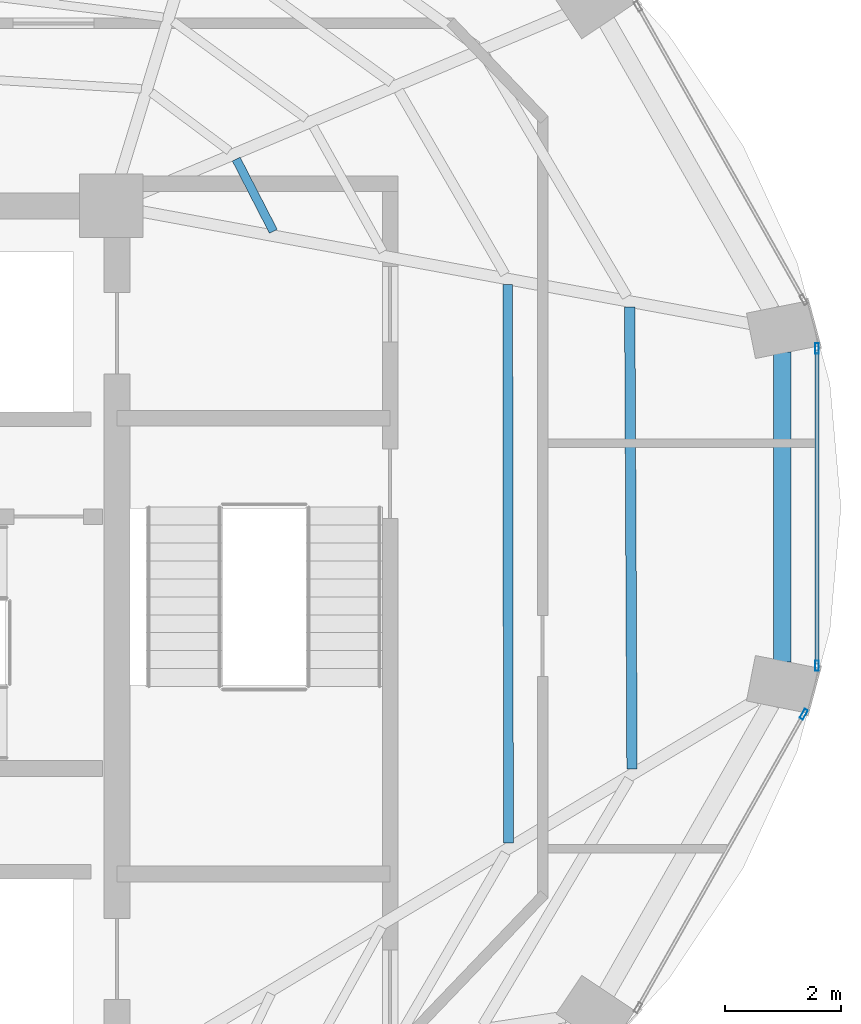
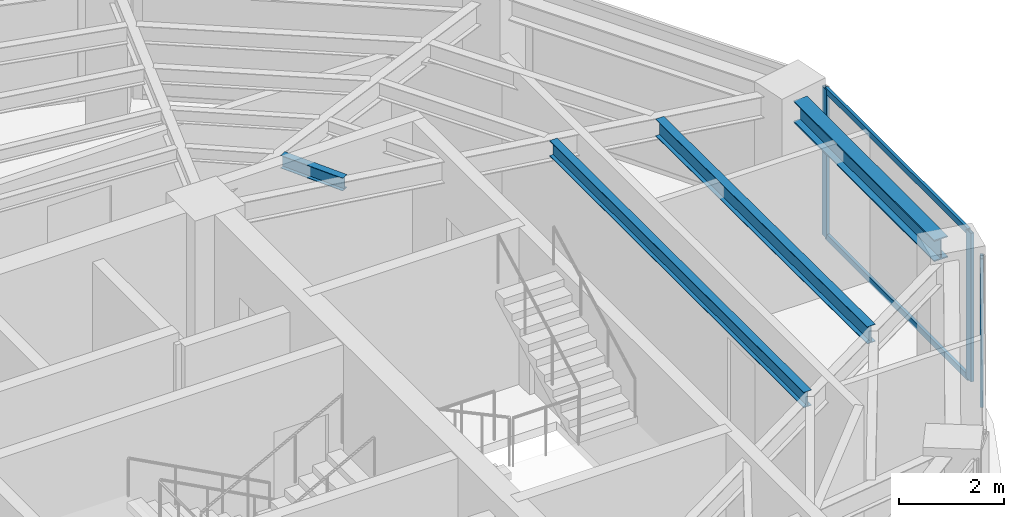
# One storey, part 14 of 23: 5 members, 4 beams, 2 elements without a shape of their own.
"""IFC4 building model written with IfcOpenShell, lengths in metres."""

from ifc_helpers import new_model, si_unit, direction, frame, origin, origin_2d, place, context, subcontext, project, spatial, hollow_rectangle, i_section, extrude, material, layer, layer_set, material_profile, profile_set, type_object, element, aggregate, save


model = new_model("IFC4")

# Units and contexts
model_context = context("Model", 3, precision=1e-05, world=origin(), true_north=direction((0.0, 1.0)))
body_context = subcontext(model_context, "Body", "Model", "MODEL_VIEW")
ifc_project = project(units=[si_unit("LENGTHUNIT", "METRE"), si_unit("AREAUNIT", "SQUARE_METRE"), si_unit("VOLUMEUNIT", "CUBIC_METRE"), si_unit("PLANEANGLEUNIT", "RADIAN"), si_unit("MASSUNIT", "GRAM", prefix="KILO")], contexts=[model_context])

# Site, building, storey
site_placement = place(None, origin())
site = spatial("IfcSite", under=ifc_project, at=site_placement, CompositionType="ELEMENT")
building_placement = place(site_placement, origin())
building = spatial("IfcBuilding", under=site, at=building_placement, Name="Lazwardi Medical Tower", CompositionType="ELEMENT")
storey_placement = place(building_placement, frame((0.0, 0.0, 234.9599609375)))
storey = spatial("IfcBuildingStorey", under=building, at=storey_placement, Name="L61", CompositionType="ELEMENT", Elevation=234.9599609375)

# Beams
ifc_material_1 = material(Name="Steel S355", Category="steel")
ifc_material_profile_1 = material_profile(ifc_material_1, i_section(OverallWidth=0.300048828125, OverallDepth=0.5, WebThickness=0.014404296875, FlangeThickness=0.028076171875, at=origin_2d()), Name="HEB 500")
ifc_profile_set_1 = profile_set([ifc_material_profile_1], Name="Steel S355")
beam_type_1 = type_object("IfcBeamType", Name="BM-RB-Z4", PredefinedType="BEAM", material=ifc_profile_set_1)
beam_1_placement = place(storey_placement, frame((57.18505859375, 27.72705078125, 3.197998046875), z_axis=(0.0, 1.0, 0.0), x_axis=(-1.0, 0.0, 0.0)))
element("IfcBeam", 1, at=beam_1_placement, inside=storey, type_object=beam_type_1, Name="Ring beam RB-05 B04 L61", PredefinedType="BEAM", context=body_context, shape_type="SweptSolid", body=[
    extrude(i_section(OverallWidth=0.300048828125, OverallDepth=0.5, WebThickness=0.014404296875, FlangeThickness=0.028076171875, at=origin_2d()), origin(), (0.0, 0.0, 1.0), 5.345947265625),
])
ifc_material_profile_2 = material_profile(ifc_material_1, i_section(OverallWidth=0.179931640625, OverallDepth=0.39990234375, WebThickness=0.008544921875, FlangeThickness=0.013427734375, at=origin_2d()), Name="IPE 400")
ifc_profile_set_2 = profile_set([ifc_material_profile_2], Name="Steel S355")
beam_type_2 = type_object("IfcBeamType", Name="BM-SJ-01", PredefinedType="JOIST", material=ifc_profile_set_2)
beam_2_placement = place(storey_placement, frame((54.592041015625, 25.879638671875, 3.248046875), z_axis=(-0.004929366644, 0.999987850598, 0.0), x_axis=(-0.999987850598, -0.004929366644, 0.0)))
element("IfcBeam", 2, at=beam_2_placement, inside=storey, type_object=beam_type_2, Name="Secondary joist SJ-01 R1 B04 L61", PredefinedType="JOIST", context=body_context, shape_type="SweptSolid", body=[
    extrude(i_section(OverallWidth=0.179931640625, OverallDepth=0.39990234375, WebThickness=0.008544921875, FlangeThickness=0.013427734375, at=origin_2d()), origin(), (0.0, 0.0, 1.0), 7.973876953125),
])
ifc_material_profile_3 = material_profile(ifc_material_1, i_section(OverallWidth=0.169921875, OverallDepth=0.360107421875, WebThickness=0.008056640625, FlangeThickness=0.0126953125, at=origin_2d()), Name="IPE 360")
ifc_profile_set_3 = profile_set([ifc_material_profile_3], Name="Steel S355")
beam_type_3 = type_object("IfcBeamType", Name="BM-SJ-02", PredefinedType="JOIST", material=ifc_profile_set_3)
beam_3_placement = place(storey_placement, frame((52.458984375, 24.602294921875, 3.26806640625), z_axis=(-0.001367606673, 0.999999064826, 0.0), x_axis=(-0.999999064826, -0.001367606673, 0.0)))
element("IfcBeam", 3, at=beam_3_placement, inside=storey, type_object=beam_type_3, Name="Secondary joist SJ-02 R2 B04 L61", PredefinedType="JOIST", context=body_context, shape_type="SweptSolid", body=[
    extrude(i_section(OverallWidth=0.169921875, OverallDepth=0.360107421875, WebThickness=0.008056640625, FlangeThickness=0.0126953125, at=origin_2d()), origin(), (0.0, 0.0, 1.0), 9.639892578125),
])
ifc_material_profile_4 = material_profile(ifc_material_1, i_section(OverallWidth=0.14990234375, OverallDepth=0.300048828125, WebThickness=0.007080078125, FlangeThickness=0.0107421875, at=origin_2d()), Name="IPE 300")
ifc_profile_set_4 = profile_set([ifc_material_profile_4], Name="Steel S355")
beam_type_4 = type_object("IfcBeamType", Name="BM-SJ-03", PredefinedType="JOIST", material=ifc_profile_set_4)
beam_4_placement = place(storey_placement, frame((48.39990234375, 35.159912109375, 3.298095703125), z_axis=(-0.457285056668, 0.889320176848, 0.0), x_axis=(-0.889320176848, -0.457285056668, 0.0)))
element("IfcBeam", 4, at=beam_4_placement, inside=storey, type_object=beam_type_4, Name="Secondary joist SJ-03 R4 B05 L61", PredefinedType="JOIST", context=body_context, shape_type="SweptSolid", body=[
    extrude(i_section(OverallWidth=0.14990234375, OverallDepth=0.300048828125, WebThickness=0.007080078125, FlangeThickness=0.0107421875, at=origin_2d()), origin(), (0.0, 0.0, 1.0), 1.402099609375),
])

# Curtain wall, member
ifc_material_2 = material(Name="Anodised bronze aluminium and solar control glazing", Category="aluminium")
ifc_layer = layer(ifc_material_2, 0.18994140625)
ifc_layer_set = layer_set([ifc_layer], Name="Anodised bronze aluminium and solar control glazing")
curtain_wall_type = type_object("IfcCurtainWallType", Name="CW-SYS-04", PredefinedType="NOTDEFINED", material=ifc_layer_set)
curtain_wall_1_placement = place(storey_placement, origin())
curtain_wall_1 = element("IfcCurtainWall", 5, at=curtain_wall_1_placement, inside=storey, type_object=curtain_wall_type, Name="L61 Unitised bronze curtain wall CW-04", PredefinedType="NOTDEFINED")
ifc_material_3 = material(Name="Anodised bronze aluminium", Category="aluminium")
ifc_material_profile_5 = material_profile(ifc_material_3, hollow_rectangle(XDim=0.06494140625, YDim=0.179931640625, WallThickness=0.00390625, at=origin_2d()), Name="ALU-MULLION 180x65x4")
ifc_profile_set_5 = profile_set([ifc_material_profile_5], Name="Anodised bronze aluminium")
member_type_1 = type_object("IfcMemberType", Name="CW-MUL-03", PredefinedType="MULLION", material=ifc_profile_set_5)
member_1_placement = place(storey_placement, frame((57.557373046875, 26.82177734375, 0.0), z_axis=(0.0, 0.0, 1.0), x_axis=(-0.870651436011, 0.491900474661, 0.0)))
member_1 = element("IfcMember", 6, at=member_1_placement, type_object=member_type_1, Name="CW-04 mullion 2", PredefinedType="MULLION", context=body_context, shape_type="SweptSolid", body=[
    extrude(hollow_rectangle(XDim=0.06494140625, YDim=0.179931640625, WallThickness=0.00390625, at=origin_2d()), origin(), (0.0, 0.0, 1.0), 3.447998046875),
])
aggregate(curtain_wall_1, [member_1])

# Curtain wall, members
curtain_wall_2_placement = place(storey_placement, origin())
curtain_wall_2 = element("IfcCurtainWall", 7, at=curtain_wall_2_placement, inside=storey, type_object=curtain_wall_type, Name="L61 Unitised bronze curtain wall CW-04", PredefinedType="NOTDEFINED")
member_2_placement = place(storey_placement, frame((57.7841796875, 27.659423828125, 0.0), z_axis=(0.0, 0.0, 1.0), x_axis=(-1.0, 0.0, 0.0)))
member_2 = element("IfcMember", 8, at=member_2_placement, type_object=member_type_1, Name="CW-04 mullion 1", PredefinedType="MULLION", context=body_context, shape_type="SweptSolid", body=[
    extrude(hollow_rectangle(XDim=0.06494140625, YDim=0.179931640625, WallThickness=0.00390625, at=origin_2d()), origin(), (0.0, 0.0, 1.0), 3.447998046875),
])
member_3_placement = place(storey_placement, frame((57.7841796875, 33.140380859375, 0.0), z_axis=(0.0, 0.0, 1.0), x_axis=(-1.0, 0.0, 0.0)))
member_3 = element("IfcMember", 9, at=member_3_placement, type_object=member_type_1, Name="CW-04 mullion 2", PredefinedType="MULLION", context=body_context, shape_type="SweptSolid", body=[
    extrude(hollow_rectangle(XDim=0.06494140625, YDim=0.179931640625, WallThickness=0.00390625, at=origin_2d()), origin(), (0.0, 0.0, 1.0), 3.447998046875),
])
ifc_material_profile_6 = material_profile(ifc_material_3, hollow_rectangle(XDim=0.06494140625, YDim=0.139892578125, WallThickness=0.00341796875, at=origin_2d()), Name="ALU-TRANSOM 140x65x3.5")
ifc_profile_set_6 = profile_set([ifc_material_profile_6], Name="Anodised bronze aluminium")
member_type_2 = type_object("IfcMemberType", Name="CW-TRN-03", PredefinedType="USERDEFINED", material=ifc_profile_set_6)
member_4_placement = place(storey_placement, frame((57.7841796875, 27.69189453125, 0.032470703125), z_axis=(0.0, 1.0, 0.0), x_axis=(-1.0, 0.0, 0.0)))
member_4 = element("IfcMember", 10, at=member_4_placement, type_object=member_type_2, Name="CW-04 transom 1.1", ObjectType="TRANSOM", PredefinedType="USERDEFINED", context=body_context, shape_type="SweptSolid", body=[
    extrude(hollow_rectangle(XDim=0.06494140625, YDim=0.139892578125, WallThickness=0.00341796875, at=origin_2d()), origin(), (0.0, 0.0, 1.0), 5.416015625),
])
member_5_placement = place(storey_placement, frame((57.7841796875, 27.69189453125, 3.41552734375), z_axis=(0.0, 1.0, 0.0), x_axis=(-1.0, 0.0, 0.0)))
member_5 = element("IfcMember", 11, at=member_5_placement, type_object=member_type_2, Name="CW-04 transom 1.2", ObjectType="TRANSOM", PredefinedType="USERDEFINED", context=body_context, shape_type="SweptSolid", body=[
    extrude(hollow_rectangle(XDim=0.06494140625, YDim=0.139892578125, WallThickness=0.00341796875, at=origin_2d()), origin(), (0.0, 0.0, 1.0), 5.416015625),
])
aggregate(curtain_wall_2, [member_2, member_3, member_4, member_5])

save(model, "model.ifc")
